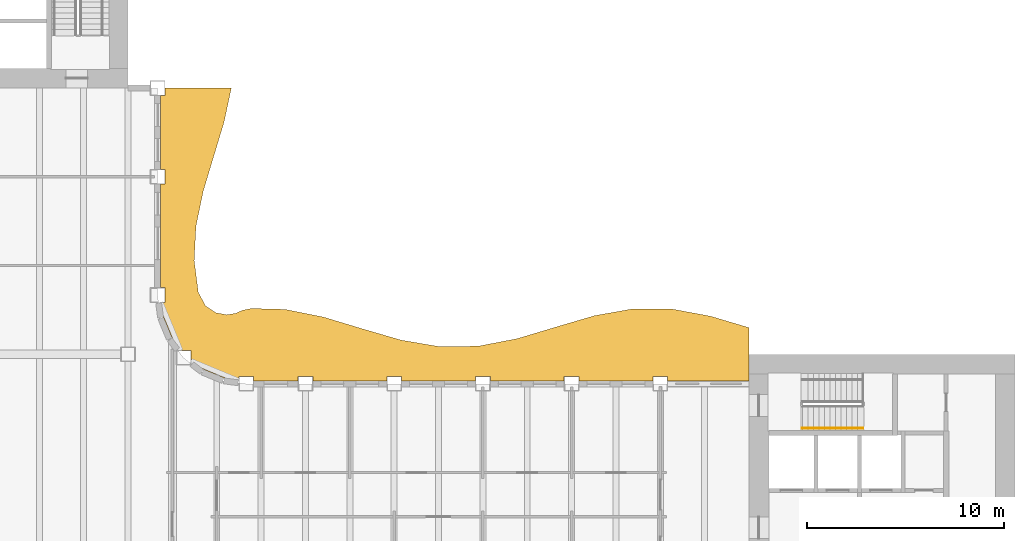
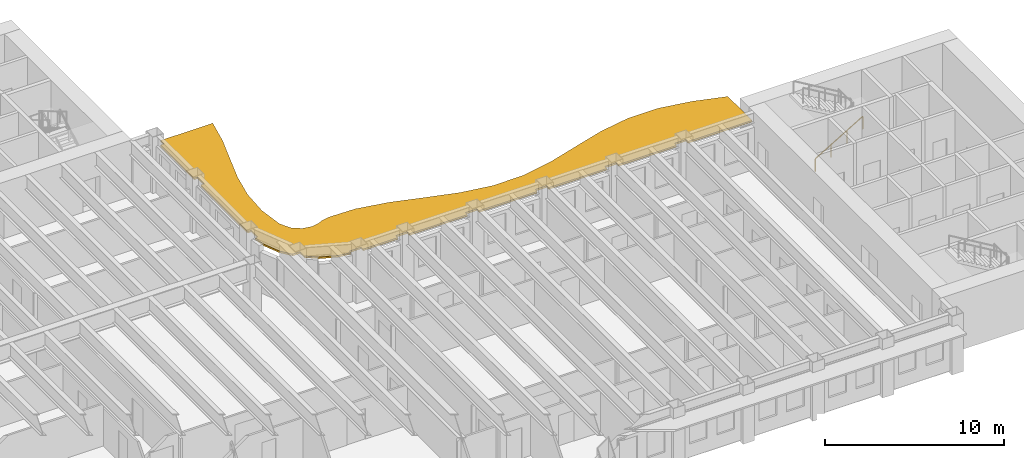
# One storey, part 15 of 17: 1 railing, 1 shading device.
"""IFC4 building model written with IfcOpenShell, lengths in metres."""

from ifc_helpers import new_model, si_unit, direction, frame, origin, origin_2d, place, context, subcontext, project, spatial, polyline, rectangle, outline, extrude, material, layer, layer_set, type_object, element, save


model = new_model("IFC4")

# Units and contexts
model_context = context("Model", 3, precision=1e-05, world=origin(), true_north=direction((0.0, 1.0)))
body_context = subcontext(model_context, "Body", "Model", "MODEL_VIEW")
ifc_project = project(units=[si_unit("LENGTHUNIT", "METRE"), si_unit("AREAUNIT", "SQUARE_METRE"), si_unit("VOLUMEUNIT", "CUBIC_METRE"), si_unit("PLANEANGLEUNIT", "RADIAN"), si_unit("MASSUNIT", "GRAM", prefix="KILO")], contexts=[model_context])

# Site, building, storey
site_placement = place(None, origin())
site = spatial("IfcSite", under=ifc_project, at=site_placement, CompositionType="ELEMENT")
building_placement = place(site_placement, origin())
building = spatial("IfcBuilding", under=site, at=building_placement, Name="Sennacour Bend Tower", CompositionType="ELEMENT")
storey_placement = place(building_placement, frame((0.0, 0.0, 199.0)))
storey = spatial("IfcBuildingStorey", under=building, at=storey_placement, Name="L45", CompositionType="ELEMENT", Elevation=199.0)

# Railing
ifc_material_1 = material(Name="Stainless steel", Category="steel")
railing_type = type_object("IfcRailingType", Name="RL-HANDRAIL-900", PredefinedType="HANDRAIL", material=ifc_material_1)
railing_placement = place(storey_placement, frame((56.699951171875, 18.75, 0.166748046875)))
element("IfcRailing", 1, at=railing_placement, inside=storey, type_object=railing_type, Name="L45 SA2 stair handrail 1", PredefinedType="HANDRAIL", context=body_context, shape_type="SweptSolid", body=[
    extrude(rectangle(XDim=0.048095703125, YDim=0.048095703125, at=origin_2d()), frame((0.0, 0.0, 0.8759765625), z_axis=(0.859308565015, 0.0, 0.511457515432), x_axis=(0.0, 1.0, 0.0)), (0.0, 0.0, 1.0), 3.58447265625),
    extrude(rectangle(XDim=0.0419921875, YDim=0.0419921875, at=origin_2d()), origin(), (0.0, 0.0, 1.0), 0.851806640625),
    extrude(rectangle(XDim=0.0419921875, YDim=0.0419921875, at=origin_2d()), frame((1.026611328125, 0.0, 0.611083984375)), (0.0, 0.0, 1.0), 0.851806640625),
    extrude(rectangle(XDim=0.0419921875, YDim=0.0419921875, at=origin_2d()), frame((2.053466796875, 0.0, 1.22216796875)), (0.0, 0.0, 1.0), 0.851806640625),
    extrude(rectangle(XDim=0.0419921875, YDim=0.0419921875, at=origin_2d()), frame((3.080078125, 0.0, 1.833251953125)), (0.0, 0.0, 1.0), 0.851806640625),
])

# Shading device
ifc_material_2 = material(Name="Bronze anodised aluminium", Category="aluminium")
ifc_layer = layer(ifc_material_2, 0.1201171875, Name="Bronze anodised aluminium", Category="aluminium")
ifc_layer_set = layer_set([ifc_layer], Name="Bronze anodised aluminium")
shading_device_type = type_object("IfcShadingDeviceType", Name="SUNSHADE BAND WAVE", PredefinedType="USERDEFINED", material=ifc_layer_set)
shading_device_placement = place(storey_placement, frame((0.0, 0.0, 3.037109375)))
element("IfcShadingDevice", 2, at=shading_device_placement, inside=storey, type_object=shading_device_type, Name="Sunshade band L45 concave faces", ObjectType="SUNSHADE", PredefinedType="USERDEFINED", context=body_context, shape_type="SweptSolid", body=[
    extrude(outline(polyline([(54.0, 21.14990234375), (49.875, 21.14990234375), (49.875, 21.375), (49.125, 21.375), (49.125, 21.14990234375), (45.375, 21.14990234375), (45.375, 21.375), (44.625, 21.375), (44.625, 21.14990234375), (40.875, 21.14990234375), (40.875, 21.375), (40.125, 21.375), (40.125, 21.14990234375), (36.375, 21.14990234375), (36.375, 21.375), (35.625, 21.375), (35.625, 21.14990234375), (31.875, 21.14990234375), (31.875, 21.375), (31.125, 21.375), (31.125, 21.14990234375), (28.875, 21.14990234375), (28.875, 21.375), (28.125, 21.375), (28.125, 21.20068359375), (27.37451171875, 21.299560546875), (26.32568359375, 21.73388671875), (25.693115234375, 22.21923828125), (25.693115234375, 22.693115234375), (25.21923828125, 22.693115234375), (24.73388671875, 23.32568359375), (24.299560546875, 24.37451171875), (24.20068359375, 25.125), (24.375, 25.125), (24.375, 25.875), (24.14990234375, 25.875), (24.14990234375, 31.125), (24.375, 31.125), (24.375, 31.875), (24.14990234375, 31.875), (24.14990234375, 35.625), (24.375, 35.625), (24.375, 36.0), (27.738525390625, 36.0), (27.36328125, 34.25), (26.83349609375, 32.5), (26.308837890625, 30.75), (25.947021484375, 29.0), (25.856201171875, 27.25), (26.064208984375, 25.63525390625), (26.4365234375, 24.947021484375), (26.95458984375, 24.60791015625), (27.50244140625, 24.50244140625), (27.966796875, 24.576416015625), (28.293212890625, 24.72802734375), (28.75048828125, 24.82177734375), (30.46142578125, 24.777099609375), (32.423095703125, 24.384521484375), (34.384521484375, 23.79150390625), (36.34619140625, 23.220458984375), (38.3076171875, 22.885498046875), (40.269287109375, 22.912353515625), (42.230712890625, 23.291015625), (44.1923828125, 23.87939453125), (46.15380859375, 24.45654296875), (48.115478515625, 24.806396484375), (50.076904296875, 24.79736328125), (52.03857421875, 24.43310546875), (54.0, 23.85009765625), (54.0, 21.14990234375)])), origin(), (0.0, 0.0, 1.0), 0.119873046875),
])

save(model, "model.ifc")
